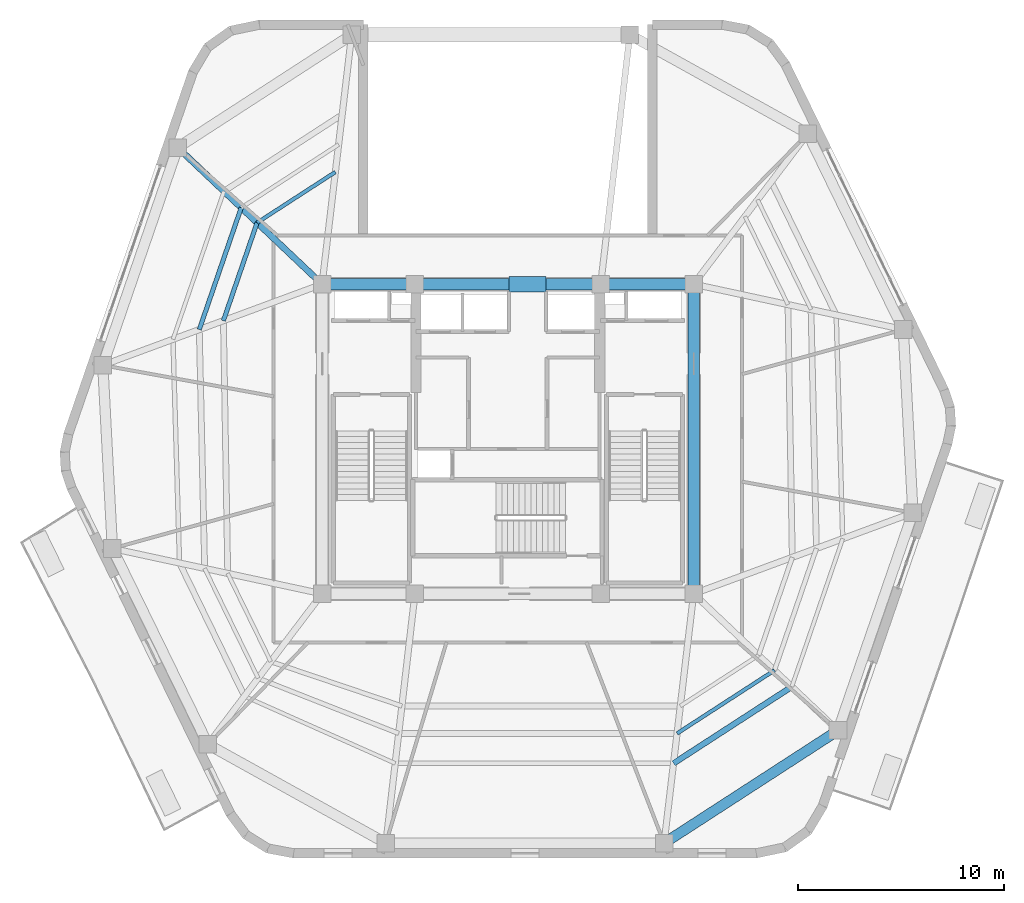
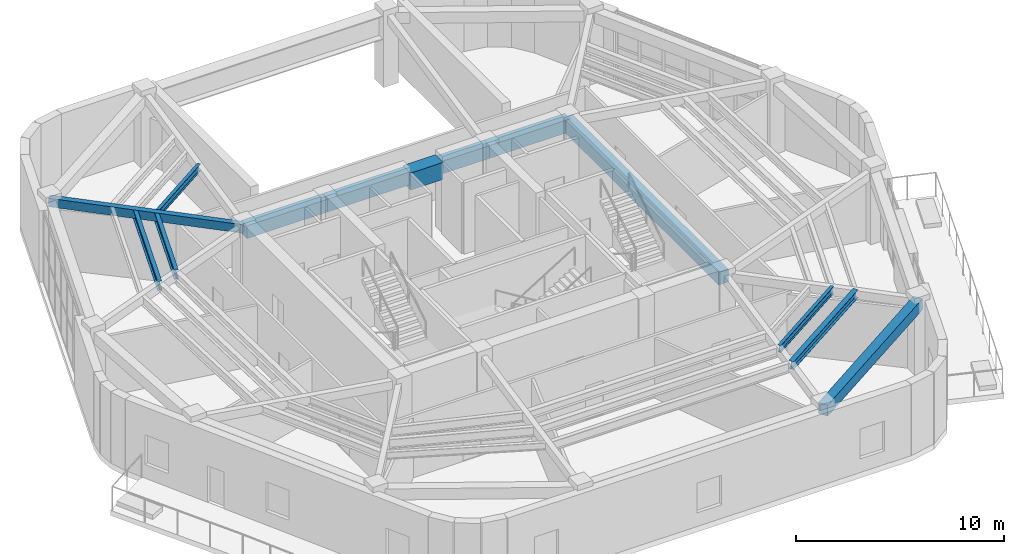
# One storey, part 3 of 15: 12 beams.
"""IFC4 building model written with IfcOpenShell, lengths in metres."""

from ifc_helpers import new_model, si_unit, direction, frame, origin, origin_2d, place, context, subcontext, project, spatial, rectangle, i_section, extrude, material, material_profile, profile_set, type_object, element, save


model = new_model("IFC4")

# Units and contexts
model_context = context("Model", 3, precision=1e-05, world=origin(), true_north=direction((0.0, 1.0)))
body_context = subcontext(model_context, "Body", "Model", "MODEL_VIEW")
ifc_project = project(units=[si_unit("LENGTHUNIT", "METRE"), si_unit("AREAUNIT", "SQUARE_METRE"), si_unit("VOLUMEUNIT", "CUBIC_METRE"), si_unit("PLANEANGLEUNIT", "RADIAN"), si_unit("MASSUNIT", "GRAM", prefix="KILO")], contexts=[model_context])

# Site, building, storey
site_placement = place(None, origin())
site = spatial("IfcSite", under=ifc_project, at=site_placement, CompositionType="ELEMENT")
building_placement = place(site_placement, origin())
building = spatial("IfcBuilding", under=site, at=building_placement, Name="Kilnhurst Terrace Hotel", CompositionType="ELEMENT")
storey_placement = place(building_placement, frame((0.0, 0.0, 293.10009765625)))
storey = spatial("IfcBuildingStorey", under=building, at=storey_placement, Name="L73", CompositionType="ELEMENT", Elevation=293.10009765625)

# Beams
ifc_material_1 = material(Name="Concrete C50/60", Category="concrete")
ifc_material_profile_1 = material_profile(ifc_material_1, rectangle(XDim=0.300048828125, YDim=0.5, at=origin_2d()), Name="RC300X500")
ifc_profile_set_1 = profile_set([ifc_material_profile_1], Name="Concrete C50/60")
beam_type_1 = type_object("IfcBeamType", Name="BM-RAD-300X500", PredefinedType="BEAM", material=ifc_profile_set_1)
beam_1_placement = place(storey_placement, frame((-9.0, 7.5, 3.929931640625), z_axis=(-0.726256338973, 0.687423981326, 0.0), x_axis=(-0.687423981326, -0.726256338973, 0.0)))
element("IfcBeam", 1, at=beam_1_placement, inside=storey, type_object=beam_type_1, Name="L73 Radial Floor Beam 9", PredefinedType="BEAM", context=body_context, shape_type="SweptSolid", body=[
    extrude(rectangle(XDim=0.300048828125, YDim=0.5, at=origin_2d()), origin(), (0.0, 0.0, 1.0), 9.6318359375),
])
ifc_material_profile_2 = material_profile(ifc_material_1, rectangle(XDim=0.5, YDim=0.64990234375, at=origin_2d()), Name="RC500X650")
ifc_profile_set_2 = profile_set([ifc_material_profile_2], Name="Concrete C50/60")
beam_type_2 = type_object("IfcBeamType", Name="BM-SPN-500X650", PredefinedType="SPANDREL", material=ifc_profile_set_2)
beam_2_placement = place(storey_placement, frame((7.569091796875, -19.580078125, 3.85498046875), z_axis=(0.839258818809, 0.543732135386, 0.0), x_axis=(-0.543732135386, 0.839258818809, 0.0)))
element("IfcBeam", 2, at=beam_2_placement, inside=storey, type_object=beam_type_2, Name="L73 Perimeter Spandrel Beam 2", PredefinedType="SPANDREL", context=body_context, shape_type="SweptSolid", body=[
    extrude(rectangle(XDim=0.5, YDim=0.64990234375, at=origin_2d()), origin(), (0.0, 0.0, 1.0), 10.039794921875),
])
ifc_material_profile_3 = material_profile(ifc_material_1, rectangle(XDim=0.550048828125, YDim=0.75, at=origin_2d()), Name="RC550X750")
ifc_profile_set_3 = profile_set([ifc_material_profile_3], Name="Concrete C50/60")
beam_type_3 = type_object("IfcBeamType", Name="BM-SPN-550X750", PredefinedType="SPANDREL", material=ifc_profile_set_3)
beam_3_placement = place(storey_placement, frame((-9.0, 7.5, 3.804931640625), z_axis=(1.0, 0.0, 0.0), x_axis=(0.0, 1.0, 0.0)))
element("IfcBeam", 3, at=beam_3_placement, inside=storey, type_object=beam_type_3, Name="L73 Core Tie Beam CC-NW to CC-NC1", PredefinedType="SPANDREL", context=body_context, shape_type="SweptSolid", body=[
    extrude(rectangle(XDim=0.550048828125, YDim=0.75, at=origin_2d()), origin(), (0.0, 0.0, 1.0), 4.5),
])
beam_4_placement = place(storey_placement, frame((-4.5, 7.5, 3.804931640625), z_axis=(1.0, 0.0, 0.0), x_axis=(0.0, 1.0, 0.0)))
element("IfcBeam", 4, at=beam_4_placement, inside=storey, type_object=beam_type_3, Name="L73 Core Tie Beam CC-NC1 to CC-NC2", PredefinedType="SPANDREL", context=body_context, shape_type="SweptSolid", body=[
    extrude(rectangle(XDim=0.550048828125, YDim=0.75, at=origin_2d()), origin(), (0.0, 0.0, 1.0), 9.0),
])
beam_5_placement = place(storey_placement, frame((4.5, 7.5, 3.804931640625), z_axis=(1.0, 0.0, 0.0), x_axis=(0.0, 1.0, 0.0)))
element("IfcBeam", 5, at=beam_5_placement, inside=storey, type_object=beam_type_3, Name="L73 Core Tie Beam CC-NC2 to CC-NE", PredefinedType="SPANDREL", context=body_context, shape_type="SweptSolid", body=[
    extrude(rectangle(XDim=0.550048828125, YDim=0.75, at=origin_2d()), origin(), (0.0, 0.0, 1.0), 4.5),
])
beam_6_placement = place(storey_placement, frame((9.0, -7.5, 3.804931640625), z_axis=(0.0, 1.0, 0.0), x_axis=(-1.0, 0.0, 0.0)))
element("IfcBeam", 6, at=beam_6_placement, inside=storey, type_object=beam_type_3, Name="L73 Core Tie Beam CC-SE to CC-NE", PredefinedType="SPANDREL", context=body_context, shape_type="SweptSolid", body=[
    extrude(rectangle(XDim=0.550048828125, YDim=0.75, at=origin_2d()), origin(), (0.0, 0.0, 1.0), 15.0),
])
ifc_material_2 = material(Name="Steel ASTM A992 Grade 50", Category="steel")
ifc_material_profile_4 = material_profile(ifc_material_2, i_section(OverallWidth=0.180908203125, OverallDepth=0.417236328125, WebThickness=0.010986328125, FlangeThickness=0.018310546875, at=origin_2d()), Name="W16X57")
ifc_profile_set_4 = profile_set([ifc_material_profile_4], Name="Steel ASTM A992 Grade 50")
beam_type_4 = type_object("IfcBeamType", Name="JST-STL-W16X57", PredefinedType="JOIST", material=ifc_profile_set_4)
beam_7_placement = place(storey_placement, frame((-8.35595703125, 12.93603515625, 3.970947265625), z_axis=(-0.839261215199, -0.543728436503, 0.0), x_axis=(0.543728436503, -0.839261215199, 0.0)))
element("IfcBeam", 7, at=beam_7_placement, inside=storey, type_object=beam_type_4, Name="L73 Secondary Floor Steel Joist IN.8", PredefinedType="JOIST", context=body_context, shape_type="SweptSolid", body=[
    extrude(i_section(OverallWidth=0.180908203125, OverallDepth=0.417236328125, WebThickness=0.010986328125, FlangeThickness=0.018310546875, at=origin_2d()), origin(), (0.0, 0.0, 1.0), 4.51806640625),
])
beam_8_placement = place(storey_placement, frame((8.198486328125, -14.264892578125, 3.970947265625), z_axis=(0.839260135854, 0.543730102502, 0.0), x_axis=(-0.543730102502, 0.839260135854, 0.0)))
element("IfcBeam", 8, at=beam_8_placement, inside=storey, type_object=beam_type_4, Name="L73 Secondary Floor Steel Joist MID.2", PredefinedType="JOIST", context=body_context, shape_type="SweptSolid", body=[
    extrude(i_section(OverallWidth=0.180908203125, OverallDepth=0.417236328125, WebThickness=0.010986328125, FlangeThickness=0.018310546875, at=origin_2d()), origin(), (0.0, 0.0, 1.0), 5.62255859375),
])
ifc_material_profile_5 = material_profile(ifc_material_2, i_section(OverallWidth=0.279296875, OverallDepth=0.462890625, WebThickness=0.0107421875, FlangeThickness=0.017333984375, at=origin_2d()), Name="W18X76")
ifc_profile_set_5 = profile_set([ifc_material_profile_5], Name="Steel ASTM A992 Grade 50")
beam_type_5 = type_object("IfcBeamType", Name="JST-STL-W18X76", PredefinedType="JOIST", material=ifc_profile_set_5)
beam_9_placement = place(storey_placement, frame((8.02685546875, -15.71435546875, 3.947998046875), z_axis=(0.839257246669, 0.543734562001, 0.0), x_axis=(-0.543734562001, 0.839257246669, 0.0)))
element("IfcBeam", 9, at=beam_9_placement, inside=storey, type_object=beam_type_5, Name="L73 Secondary Floor Steel Joist OUT.2", PredefinedType="JOIST", context=body_context, shape_type="SweptSolid", body=[
    extrude(i_section(OverallWidth=0.279296875, OverallDepth=0.462890625, WebThickness=0.0107421875, FlangeThickness=0.017333984375, at=origin_2d()), origin(), (0.0, 0.0, 1.0), 6.8271484375),
])
ifc_material_profile_6 = material_profile(ifc_material_2, i_section(OverallWidth=0.2138671875, OverallDepth=0.549072265625, WebThickness=0.0146484375, FlangeThickness=0.023681640625, at=origin_2d()), Name="W21X93")
ifc_profile_set_6 = profile_set([ifc_material_profile_6], Name="Steel ASTM A992 Grade 50")
beam_type_6 = type_object("IfcBeamType", Name="JST-STL-W21X93", PredefinedType="JOIST", material=ifc_profile_set_6)
beam_10_placement = place(storey_placement, frame((-12.147705078125, 10.4794921875, 3.90478515625), z_axis=(-0.325362511486, -0.94558935914, 0.0), x_axis=(0.94558935914, -0.325362511486, 0.0)))
element("IfcBeam", 10, at=beam_10_placement, inside=storey, type_object=beam_type_6, Name="L73 Secondary Floor Steel Joist IN.9", PredefinedType="JOIST", context=body_context, shape_type="SweptSolid", body=[
    extrude(i_section(OverallWidth=0.2138671875, OverallDepth=0.549072265625, WebThickness=0.0146484375, FlangeThickness=0.023681640625, at=origin_2d()), origin(), (0.0, 0.0, 1.0), 5.019287109375),
])
beam_11_placement = place(storey_placement, frame((-12.917236328125, 11.207763671875, 3.90478515625), z_axis=(-0.325359404894, -0.945590428064, 0.0), x_axis=(0.945590428064, -0.325359404894, 0.0)))
element("IfcBeam", 11, at=beam_11_placement, inside=storey, type_object=beam_type_6, Name="L73 Secondary Floor Steel Joist MID.9", PredefinedType="JOIST", context=body_context, shape_type="SweptSolid", body=[
    extrude(i_section(OverallWidth=0.2138671875, OverallDepth=0.549072265625, WebThickness=0.0146484375, FlangeThickness=0.023681640625, at=origin_2d()), origin(), (0.0, 0.0, 1.0), 6.24609375),
])
ifc_material_3 = material(Name="Concrete C60/75", Category="concrete")
ifc_material_profile_7 = material_profile(ifc_material_3, rectangle(XDim=0.75, YDim=1.0, at=origin_2d()), Name="RC750X1000")
ifc_profile_set_7 = profile_set([ifc_material_profile_7], Name="Concrete C60/75")
beam_type_7 = type_object("IfcBeamType", Name="LNT-CB-750X1000", PredefinedType="LINTEL", material=ifc_profile_set_7)
beam_12_placement = place(storey_placement, frame((0.050048828125, 7.5, 3.679931640625), z_axis=(1.0, 0.0, 0.0), x_axis=(0.0, 1.0, 0.0)))
element("IfcBeam", 12, at=beam_12_placement, inside=storey, type_object=beam_type_7, Name="L73 North Core Coupling Link Beam", PredefinedType="LINTEL", context=body_context, shape_type="SweptSolid", body=[
    extrude(rectangle(XDim=0.75, YDim=1.0, at=origin_2d()), origin(), (0.0, 0.0, 1.0), 1.800048828125),
])

save(model, "model.ifc")
